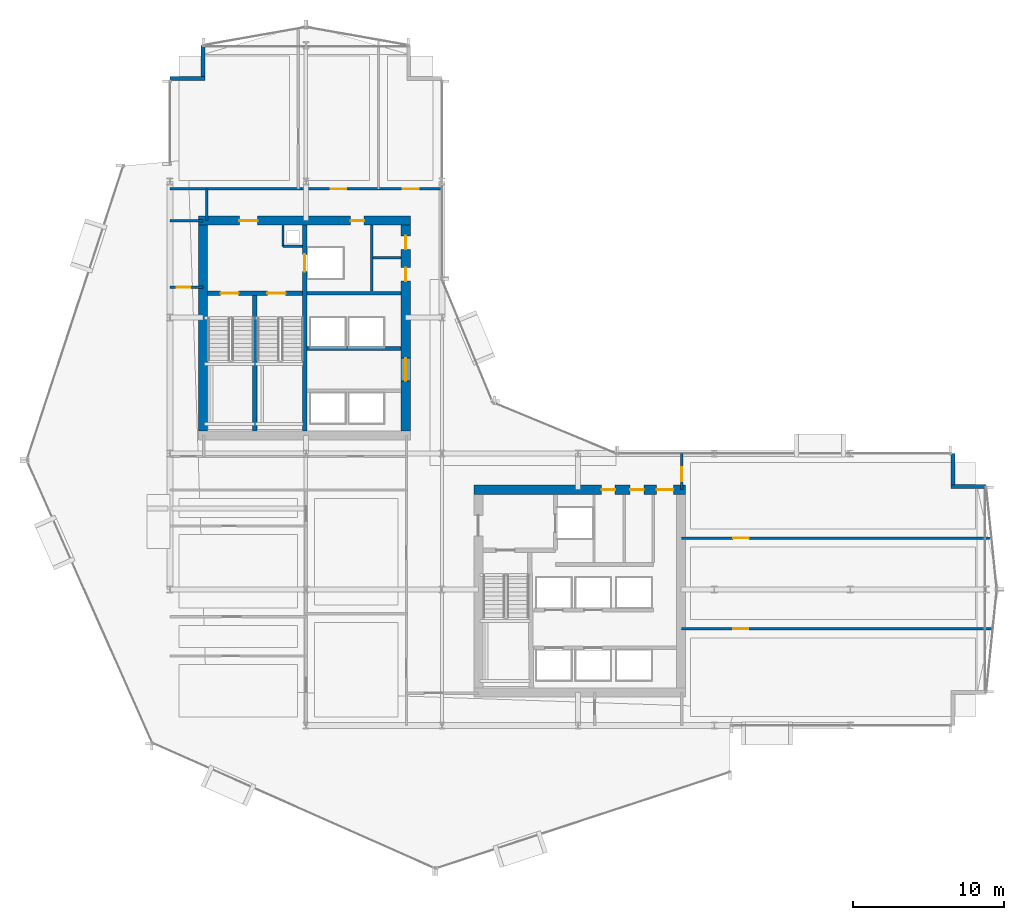
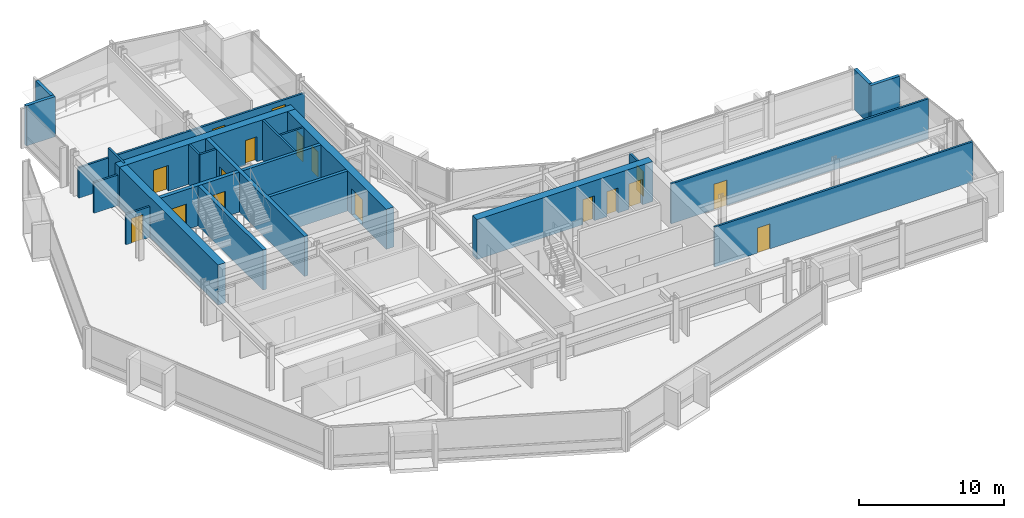
# One storey, part 28 of 34: 24 walls, 17 doors, 17 openings.
"""IFC4 building model written with IfcOpenShell, lengths in metres."""

from ifc_helpers import new_model, si_unit, direction, frame, frame_2d, origin, place, context, subcontext, project, spatial, rectangle, extrude, material, layer, layer_set, type_object, element, fill, save


model = new_model("IFC4")

# Units and contexts
model_context = context("Model", 3, precision=1e-05, world=origin(), true_north=direction((0.0, 1.0)))
body_context = subcontext(model_context, "Body", "Model", "MODEL_VIEW")
ifc_project = project(units=[si_unit("LENGTHUNIT", "METRE"), si_unit("AREAUNIT", "SQUARE_METRE"), si_unit("VOLUMEUNIT", "CUBIC_METRE"), si_unit("PLANEANGLEUNIT", "RADIAN"), si_unit("MASSUNIT", "GRAM", prefix="KILO")], contexts=[model_context])

# Site, building, storey
site_placement = place(None, origin())
site = spatial("IfcSite", under=ifc_project, at=site_placement, CompositionType="ELEMENT")
building_placement = place(site_placement, origin())
building = spatial("IfcBuilding", under=site, at=building_placement, Name="Solvaryn Broadcast Tower", CompositionType="ELEMENT")
storey_placement = place(building_placement, frame((0.0, 0.0, 96.5)))
storey = spatial("IfcBuildingStorey", under=building, at=storey_placement, Name="L23", CompositionType="ELEMENT", Elevation=96.5)

# Wall, openings, doors
ifc_material_1 = material(Name="Concrete f'c 70 MPa", Category="concrete")
ifc_layer_1 = layer(ifc_material_1, 0.60009765625)
ifc_layer_set_1 = layer_set([ifc_layer_1], Name="CW-SHEAR-600")
wall_type_1 = type_object("IfcWallType", Name="CW-SHEAR-600", PredefinedType="SHEAR", material=ifc_layer_set_1)
wall_1_placement = place(storey_placement, frame((24.89990234375, 42.39990234375, 0.0), z_axis=(0.0, 0.0, 1.0), x_axis=(-1.0, 0.0, 0.0)))
wall_1 = element("IfcWall", 1, at=wall_1_placement, inside=storey, type_object=wall_type_1, Name="L23 West Core North Shear Wall", PredefinedType="SHEAR", context=body_context, shape_type="SweptSolid", body=[
    extrude(rectangle(XDim=14.0, YDim=0.60009765625, at=frame_2d((7.0, 0.0))), origin(), (0.0, 0.0, 1.0), 3.3701171875),
])
opening_1_placement = place(wall_1_placement, frame((10.10009765625, 0.0, 0.0)))
opening_1 = element("IfcOpeningElement", 2, at=opening_1_placement, cuts=wall_1, Name="Opening FD90A", PredefinedType="OPENING", context=body_context, shape_type="SweptSolid", body=[
    extrude(rectangle(XDim=1.199951171875, YDim=2.14990234375, at=frame_2d((0.60009765625, 1.074951171875))), frame((0.0, 0.31005859375, 0.0), z_axis=(0.0, -1.0, 0.0), x_axis=(1.0, 0.0, 0.0)), (0.0, 0.0, 1.0), 0.6201171875),
])
opening_2_placement = place(wall_1_placement, frame((3.050048828125, 0.0, 0.0)))
opening_2 = element("IfcOpeningElement", 3, at=opening_2_placement, cuts=wall_1, Name="Opening FD60C", PredefinedType="OPENING", context=body_context, shape_type="SweptSolid", body=[
    extrude(rectangle(XDim=0.89990234375, YDim=2.10009765625, at=frame_2d((0.449951171875, 1.050048828125))), frame((0.0, 0.31005859375, 0.0), z_axis=(0.0, -1.0, 0.0), x_axis=(1.0, 0.0, 0.0)), (0.0, 0.0, 1.0), 0.6201171875),
])
ifc_material_2 = material(Name="Flush Acoustic Steel and Timber Door Assembly", Category="steel")
door_type_1 = type_object("IfcDoorType", Name="FD60-SERV-900X2100", OperationType="NOTDEFINED", PredefinedType="DOOR", material=ifc_material_2)
door_1_placement = place(opening_2_placement, origin())
door_1 = element("IfcDoor", 4, at=door_1_placement, inside=storey, type_object=door_type_1, Name="L23 West Core Fiber Riser Door", OperationType="SINGLE_SWING_RIGHT", OverallHeight=2.10009765625, OverallWidth=0.89990234375, PredefinedType="DOOR", context=body_context, shape_type="SweptSolid", body=[
    extrude(rectangle(XDim=0.89990234375, YDim=2.10009765625, at=frame_2d((0.449951171875, 1.050048828125))), frame((0.0, 0.02490234375, 0.0), z_axis=(0.0, -1.0, 0.0), x_axis=(1.0, 0.0, 0.0)), (0.0, 0.0, 1.0), 0.050048828125),
])
fill(opening_2, door_1)
ifc_material_3 = material(Name="Flush Acoustic Steel and Timber Door Assembly", Category="steel")
door_type_2 = type_object("IfcDoorType", Name="FD90-STAIR-1200X2150", OperationType="NOTDEFINED", PredefinedType="DOOR", material=ifc_material_3)
door_2_placement = place(opening_1_placement, origin())
door_2 = element("IfcDoor", 5, at=door_2_placement, inside=storey, type_object=door_type_2, Name="L23 West FSAE Lobby Corridor Door", OperationType="SINGLE_SWING_LEFT", OverallHeight=2.14990234375, OverallWidth=1.199951171875, PredefinedType="DOOR", context=body_context, shape_type="SweptSolid", body=[
    extrude(rectangle(XDim=1.199951171875, YDim=2.14990234375, at=frame_2d((0.60009765625, 1.074951171875))), frame((0.0, 0.02490234375, 0.0), z_axis=(0.0, -1.0, 0.0), x_axis=(1.0, 0.0, 0.0)), (0.0, 0.0, 1.0), 0.050048828125),
])
fill(opening_1, door_2)

# Wall
wall_2_placement = place(storey_placement, frame((11.199951171875, 42.10009765625, 0.0), z_axis=(0.0, 0.0, 1.0), x_axis=(0.0, -1.0, 0.0)))
element("IfcWall", 6, at=wall_2_placement, inside=storey, type_object=wall_type_1, Name="L23 West Core West Shear Wall", PredefinedType="SHEAR", context=body_context, shape_type="SweptSolid", body=[
    extrude(rectangle(XDim=13.60009765625, YDim=0.60009765625, at=frame_2d((6.800048828125, 0.0))), origin(), (0.0, 0.0, 1.0), 3.3701171875),
])

# Wall, openings, doors
wall_3_placement = place(storey_placement, frame((24.60009765625, 28.5, 0.0), z_axis=(0.0, 0.0, 1.0), x_axis=(0.0, 1.0, 0.0)))
wall_3 = element("IfcWall", 7, at=wall_3_placement, inside=storey, type_object=wall_type_1, Name="L23 West Core East Shear Wall", PredefinedType="SHEAR", context=body_context, shape_type="SweptSolid", body=[
    extrude(rectangle(XDim=13.60009765625, YDim=0.60009765625, at=frame_2d((6.800048828125, 0.0))), origin(), (0.0, 0.0, 1.0), 3.3701171875),
])
opening_3_placement = place(wall_3_placement, frame((3.300048828125, 0.0, 0.0)))
opening_3 = element("IfcOpeningElement", 8, at=opening_3_placement, cuts=wall_3, Name="Opening FD60A", PredefinedType="OPENING", context=body_context, shape_type="SweptSolid", body=[
    extrude(rectangle(XDim=1.5, YDim=2.199951171875, at=frame_2d((0.75, 1.10009765625))), frame((0.0, 0.31005859375, 0.0), z_axis=(0.0, -1.0, 0.0), x_axis=(1.0, 0.0, 0.0)), (0.0, 0.0, 1.0), 0.6201171875),
])
opening_4_placement = place(wall_3_placement, frame((9.89990234375, 0.0, 0.0)))
opening_4 = element("IfcOpeningElement", 9, at=opening_4_placement, cuts=wall_3, Name="Opening FD60C", PredefinedType="OPENING", context=body_context, shape_type="SweptSolid", body=[
    extrude(rectangle(XDim=0.89990234375, YDim=2.10009765625, at=frame_2d((0.449951171875, 1.050048828125))), frame((0.0, 0.31005859375, 0.0), z_axis=(0.0, -1.0, 0.0), x_axis=(1.0, 0.0, 0.0)), (0.0, 0.0, 1.0), 0.6201171875),
])
opening_5_placement = place(wall_3_placement, frame((12.0, 0.0, 0.0)))
opening_5 = element("IfcOpeningElement", 10, at=opening_5_placement, cuts=wall_3, Name="Opening FD60C", PredefinedType="OPENING", context=body_context, shape_type="SweptSolid", body=[
    extrude(rectangle(XDim=0.89990234375, YDim=2.10009765625, at=frame_2d((0.449951171875, 1.050048828125))), frame((0.0, 0.31005859375, 0.0), z_axis=(0.0, -1.0, 0.0), x_axis=(1.0, 0.0, 0.0)), (0.0, 0.0, 1.0), 0.6201171875),
])
ifc_material_4 = material(Name="Flush Acoustic Steel and Timber Door Assembly", Category="steel")
door_type_3 = type_object("IfcDoorType", Name="FD60-CORR-1500X2200", OperationType="NOTDEFINED", PredefinedType="DOOR", material=ifc_material_4)
door_3_placement = place(opening_3_placement, origin())
door_3 = element("IfcDoor", 11, at=door_3_placement, inside=storey, type_object=door_type_3, Name="L23 West Elevator Lobby Corridor Door", OperationType="DOUBLE_DOOR_SINGLE_SWING", OverallHeight=2.199951171875, OverallWidth=1.5, PredefinedType="DOOR", context=body_context, shape_type="SweptSolid", body=[
    extrude(rectangle(XDim=1.5, YDim=2.199951171875, at=frame_2d((0.75, 1.10009765625))), frame((0.0, 0.02490234375, 0.0), z_axis=(0.0, -1.0, 0.0), x_axis=(1.0, 0.0, 0.0)), (0.0, 0.0, 1.0), 0.050048828125),
])
fill(opening_3, door_3)
door_4_placement = place(opening_4_placement, origin())
door_4 = element("IfcDoor", 12, at=door_4_placement, inside=storey, type_object=door_type_1, Name="L23 West Core Service Door 1", OperationType="SINGLE_SWING_LEFT", OverallHeight=2.10009765625, OverallWidth=0.89990234375, PredefinedType="DOOR", context=body_context, shape_type="SweptSolid", body=[
    extrude(rectangle(XDim=0.89990234375, YDim=2.10009765625, at=frame_2d((0.449951171875, 1.050048828125))), frame((0.0, 0.02490234375, 0.0), z_axis=(0.0, -1.0, 0.0), x_axis=(1.0, 0.0, 0.0)), (0.0, 0.0, 1.0), 0.050048828125),
])
fill(opening_4, door_4)
door_5_placement = place(opening_5_placement, origin())
door_5 = element("IfcDoor", 13, at=door_5_placement, inside=storey, type_object=door_type_1, Name="L23 West Core Janitor Door", OperationType="SINGLE_SWING_RIGHT", OverallHeight=2.10009765625, OverallWidth=0.89990234375, PredefinedType="DOOR", context=body_context, shape_type="SweptSolid", body=[
    extrude(rectangle(XDim=0.89990234375, YDim=2.10009765625, at=frame_2d((0.449951171875, 1.050048828125))), frame((0.0, 0.02490234375, 0.0), z_axis=(0.0, -1.0, 0.0), x_axis=(1.0, 0.0, 0.0)), (0.0, 0.0, 1.0), 0.050048828125),
])
fill(opening_5, door_5)

wall_4_placement = place(storey_placement, frame((43.10009765625, 24.60009765625, 0.0), z_axis=(0.0, 0.0, 1.0), x_axis=(-1.0, 0.0, 0.0)))
wall_4 = element("IfcWall", 14, at=wall_4_placement, inside=storey, type_object=wall_type_1, Name="L23 East Core North Shear Wall", PredefinedType="SHEAR", context=body_context, shape_type="SweptSolid", body=[
    extrude(rectangle(XDim=14.0, YDim=0.60009765625, at=frame_2d((7.0, 0.0))), origin(), (0.0, 0.0, 1.0), 3.3701171875),
])
opening_6_placement = place(wall_4_placement, frame((0.800048828125, 0.0, 0.0)))
opening_6 = element("IfcOpeningElement", 15, at=opening_6_placement, cuts=wall_4, Name="Opening FD90C", PredefinedType="OPENING", context=body_context, shape_type="SweptSolid", body=[
    extrude(rectangle(XDim=1.10009765625, YDim=2.14990234375, at=frame_2d((0.550048828125, 1.074951171875))), frame((0.0, 0.31005859375, 0.0), z_axis=(0.0, -1.0, 0.0), x_axis=(1.0, 0.0, 0.0)), (0.0, 0.0, 1.0), 0.6201171875),
])
opening_7_placement = place(wall_4_placement, frame((2.75, 0.0, 0.0)))
opening_7 = element("IfcOpeningElement", 16, at=opening_7_placement, cuts=wall_4, Name="Opening FD60C", PredefinedType="OPENING", context=body_context, shape_type="SweptSolid", body=[
    extrude(rectangle(XDim=0.89990234375, YDim=2.10009765625, at=frame_2d((0.449951171875, 1.050048828125))), frame((0.0, 0.31005859375, 0.0), z_axis=(0.0, -1.0, 0.0), x_axis=(1.0, 0.0, 0.0)), (0.0, 0.0, 1.0), 0.6201171875),
])
opening_8_placement = place(wall_4_placement, frame((4.64990234375, 0.0, 0.0)))
opening_8 = element("IfcOpeningElement", 17, at=opening_8_placement, cuts=wall_4, Name="Opening FD60C", PredefinedType="OPENING", context=body_context, shape_type="SweptSolid", body=[
    extrude(rectangle(XDim=0.89990234375, YDim=2.10009765625, at=frame_2d((0.449951171875, 1.050048828125))), frame((0.0, 0.31005859375, 0.0), z_axis=(0.0, -1.0, 0.0), x_axis=(1.0, 0.0, 0.0)), (0.0, 0.0, 1.0), 0.6201171875),
])
door_6_placement = place(opening_7_placement, origin())
door_6 = element("IfcDoor", 18, at=door_6_placement, inside=storey, type_object=door_type_1, Name="L23 Staff Restroom Door", OperationType="SINGLE_SWING_LEFT", OverallHeight=2.10009765625, OverallWidth=0.89990234375, PredefinedType="DOOR", context=body_context, shape_type="SweptSolid", body=[
    extrude(rectangle(XDim=0.89990234375, YDim=2.10009765625, at=frame_2d((0.449951171875, 1.050048828125))), frame((0.0, 0.02490234375, 0.0), z_axis=(0.0, -1.0, 0.0), x_axis=(1.0, 0.0, 0.0)), (0.0, 0.0, 1.0), 0.050048828125),
])
fill(opening_7, door_6)
door_7_placement = place(opening_8_placement, origin())
door_7 = element("IfcDoor", 19, at=door_7_placement, inside=storey, type_object=door_type_1, Name="L23 Accessible WC Door", OperationType="SINGLE_SWING_RIGHT", OverallHeight=2.10009765625, OverallWidth=0.89990234375, PredefinedType="DOOR", context=body_context, shape_type="SweptSolid", body=[
    extrude(rectangle(XDim=0.89990234375, YDim=2.10009765625, at=frame_2d((0.449951171875, 1.050048828125))), frame((0.0, 0.02490234375, 0.0), z_axis=(0.0, -1.0, 0.0), x_axis=(1.0, 0.0, 0.0)), (0.0, 0.0, 1.0), 0.050048828125),
])
fill(opening_8, door_7)
ifc_material_5 = material(Name="Flush Acoustic Steel and Timber Door Assembly", Category="steel")
door_type_4 = type_object("IfcDoorType", Name="FD90-PLANT-1100X2150", OperationType="NOTDEFINED", PredefinedType="DOOR", material=ifc_material_5)
door_8_placement = place(opening_6_placement, origin())
door_8 = element("IfcDoor", 20, at=door_8_placement, inside=storey, type_object=door_type_4, Name="L23 East Core Lobby Corridor Door", OperationType="SINGLE_SWING_LEFT", OverallHeight=2.14990234375, OverallWidth=1.10009765625, PredefinedType="DOOR", context=body_context, shape_type="SweptSolid", body=[
    extrude(rectangle(XDim=1.10009765625, YDim=2.14990234375, at=frame_2d((0.550048828125, 1.074951171875))), frame((0.0, 0.02490234375, 0.0), z_axis=(0.0, -1.0, 0.0), x_axis=(1.0, 0.0, 0.0)), (0.0, 0.0, 1.0), 0.050048828125),
])
fill(opening_6, door_8)

# Walls
ifc_material_6 = material(Name="Concrete f'c 50 MPa", Category="concrete")
ifc_layer_2 = layer(ifc_material_6, 0.260009765625)
ifc_layer_set_2 = layer_set([ifc_layer_2], Name="EW-PIER-260")
wall_type_2 = type_object("IfcWallType", Name="EW-PIER-260", PredefinedType="SOLIDWALL", material=ifc_layer_set_2)
wall_5_placement = place(storey_placement, frame((9.0, 51.800048828125, 0.0), z_axis=(0.0, 0.0, 1.0), x_axis=(1.0, 0.0, 0.0)))
element("IfcWall", 21, at=wall_5_placement, inside=storey, type_object=wall_type_2, Name="L23 Notched Corner Pier Wall NNW1", PredefinedType="SOLIDWALL", context=body_context, shape_type="SweptSolid", body=[
    extrude(rectangle(XDim=2.320068359375, YDim=0.260009765625, at=frame_2d((1.16015625, 0.0))), origin(), (0.0, 0.0, 1.0), 3.3701171875),
])
wall_6_placement = place(storey_placement, frame((11.199951171875, 51.919921875, 0.0), z_axis=(0.0, 0.0, 1.0), x_axis=(0.0, 1.0, 0.0)))
element("IfcWall", 22, at=wall_6_placement, inside=storey, type_object=wall_type_2, Name="L23 Notched Corner Pier Wall NNW2", PredefinedType="SOLIDWALL", context=body_context, shape_type="SweptSolid", body=[
    extrude(rectangle(XDim=2.080078125, YDim=0.260009765625, at=frame_2d((1.0400390625, 0.0))), origin(), (0.0, 0.0, 1.0), 3.3701171875),
])
wall_7_placement = place(storey_placement, frame((63.0, 24.800048828125, 0.0), z_axis=(0.0, 0.0, 1.0), x_axis=(-1.0, 0.0, 0.0)))
element("IfcWall", 23, at=wall_7_placement, inside=storey, type_object=wall_type_2, Name="L23 Notched Corner Pier Wall NEE1", PredefinedType="SOLIDWALL", context=body_context, shape_type="SweptSolid", body=[
    extrude(rectangle(XDim=2.320068359375, YDim=0.260009765625, at=frame_2d((1.16015625, 0.0))), origin(), (0.0, 0.0, 1.0), 3.3701171875),
])
wall_8_placement = place(storey_placement, frame((60.800048828125, 24.919921875, 0.0), z_axis=(0.0, 0.0, 1.0), x_axis=(0.0, 1.0, 0.0)))
element("IfcWall", 24, at=wall_8_placement, inside=storey, type_object=wall_type_2, Name="L23 Notched Corner Pier Wall NEE2", PredefinedType="SOLIDWALL", context=body_context, shape_type="SweptSolid", body=[
    extrude(rectangle(XDim=2.080078125, YDim=0.260009765625, at=frame_2d((1.0400390625, 0.0))), origin(), (0.0, 0.0, 1.0), 3.3701171875),
])
ifc_material_7 = material(Name="Metal-Stud Service Core Partition")
ifc_layer_3 = layer(ifc_material_7, 0.14990234375)
ifc_layer_set_3 = layer_set([ifc_layer_3], Name="IW-PART-150")
wall_type_3 = type_object("IfcWallType", Name="IW-PART-150", PredefinedType="PARTITIONING", material=ifc_layer_set_3)
wall_9_placement = place(storey_placement, frame((16.47998046875, 40.699951171875, 0.0), z_axis=(0.0, 0.0, 1.0), x_axis=(1.0, 0.0, 0.0)))
element("IfcWall", 25, at=wall_9_placement, inside=storey, type_object=wall_type_3, Name="L23 West Core Riser Shaft South Wall", PredefinedType="PARTITIONING", context=body_context, shape_type="SweptSolid", body=[
    extrude(rectangle(XDim=1.2900390625, YDim=0.14990234375, at=frame_2d((0.64501953125, 0.0))), origin(), (0.0, 0.0, 1.0), 3.3701171875),
])
wall_10_placement = place(storey_placement, frame((16.47998046875, 40.699951171875, 0.0), z_axis=(0.0, 0.0, 1.0), x_axis=(0.0, 1.0, 0.0)))
element("IfcWall", 26, at=wall_10_placement, inside=storey, type_object=wall_type_3, Name="L23 West Core Riser Shaft West Wall", PredefinedType="PARTITIONING", context=body_context, shape_type="SweptSolid", body=[
    extrude(rectangle(XDim=1.400146484375, YDim=0.14990234375, at=frame_2d((0.7001953125, 0.0))), origin(), (0.0, 0.0, 1.0), 3.3701171875),
])
wall_11_placement = place(storey_placement, frame((22.35009765625, 37.72998046875, 0.0), z_axis=(0.0, 0.0, 1.0), x_axis=(0.0, 1.0, 0.0)))
element("IfcWall", 27, at=wall_11_placement, inside=storey, type_object=wall_type_3, Name="L23 Interior Partition IW-L23-CWS-V", PredefinedType="PARTITIONING", context=body_context, shape_type="SweptSolid", body=[
    extrude(rectangle(XDim=4.3701171875, YDim=0.14990234375, at=frame_2d((2.18505859375, 0.0))), origin(), (0.0, 0.0, 1.0), 3.3701171875),
])
wall_12_placement = place(storey_placement, frame((22.429931640625, 39.949951171875, 0.0), z_axis=(0.0, 0.0, 1.0), x_axis=(1.0, 0.0, 0.0)))
element("IfcWall", 28, at=wall_12_placement, inside=storey, type_object=wall_type_3, Name="L23 Interior Partition IW-L23-CWS-H", PredefinedType="PARTITIONING", context=body_context, shape_type="SweptSolid", body=[
    extrude(rectangle(XDim=1.8701171875, YDim=0.14990234375, at=frame_2d((0.93505859375, 0.0))), origin(), (0.0, 0.0, 1.0), 3.3701171875),
])

# Wall, opening, door
wall_13_placement = place(storey_placement, frame((9.0, 38.0, 0.0), z_axis=(0.0, 0.0, 1.0), x_axis=(1.0, 0.0, 0.0)))
wall_13 = element("IfcWall", 29, at=wall_13_placement, inside=storey, type_object=wall_type_3, Name="L23 Interior Partition IW-L23-WM-M", PredefinedType="PARTITIONING", context=body_context, shape_type="SweptSolid", body=[
    extrude(rectangle(XDim=2.199951171875, YDim=0.14990234375, at=frame_2d((1.10009765625, 0.0))), origin(), (0.0, 0.0, 1.0), 2.576904296875),
])
opening_9_placement = place(wall_13_placement, frame((0.449951171875, 0.0, 0.0)))
opening_9 = element("IfcOpeningElement", 30, at=opening_9_placement, cuts=wall_13, Name="Opening FD60C", PredefinedType="OPENING", context=body_context, shape_type="SweptSolid", body=[
    extrude(rectangle(XDim=0.89990234375, YDim=2.10009765625, at=frame_2d((0.449951171875, 1.050048828125))), frame((0.0, 0.0849609375, 0.0), z_axis=(0.0, -1.0, 0.0), x_axis=(1.0, 0.0, 0.0)), (0.0, 0.0, 1.0), 0.169921875),
])
door_9_placement = place(opening_9_placement, origin())
door_9 = element("IfcDoor", 31, at=door_9_placement, inside=storey, type_object=door_type_1, Name="L23 Door DR-L23-WM1", OperationType="SINGLE_SWING_LEFT", OverallHeight=2.10009765625, OverallWidth=0.89990234375, PredefinedType="DOOR", context=body_context, shape_type="SweptSolid", body=[
    extrude(rectangle(XDim=0.89990234375, YDim=2.10009765625, at=frame_2d((0.449951171875, 1.050048828125))), frame((0.0, 0.02490234375, 0.0), z_axis=(0.0, -1.0, 0.0), x_axis=(1.0, 0.0, 0.0)), (0.0, 0.0, 1.0), 0.050048828125),
])
fill(opening_9, door_9)

# Walls
ifc_material_8 = material(Name="Metal-Stud Gypsum Office Partition")
ifc_layer_4 = layer(ifc_material_8, 0.159912109375)
ifc_layer_set_4 = layer_set([ifc_layer_4], Name="IW-PART-160")
wall_type_4 = type_object("IfcWallType", Name="IW-PART-160", PredefinedType="PARTITIONING", material=ifc_layer_set_4)
wall_14_placement = place(storey_placement, frame((9.0, 42.39990234375, 0.0), z_axis=(0.0, 0.0, 1.0), x_axis=(1.0, 0.0, 0.0)))
element("IfcWall", 32, at=wall_14_placement, inside=storey, type_object=wall_type_4, Name="L23 Interior Partition IW-L23-WM-N", PredefinedType="PARTITIONING", context=body_context, shape_type="SweptSolid", body=[
    extrude(rectangle(XDim=2.199951171875, YDim=0.159912109375, at=frame_2d((1.10009765625, 0.0))), origin(), (0.0, 0.0, 1.0), 2.576904296875),
])
wall_15_placement = place(storey_placement, frame((11.449951171875, 42.39990234375, 0.0), z_axis=(0.0, 0.0, 1.0), x_axis=(0.0, 1.0, 0.0)))
element("IfcWall", 33, at=wall_15_placement, inside=storey, type_object=wall_type_4, Name="L23 Interior Partition IW-L23-WM-E", PredefinedType="PARTITIONING", context=body_context, shape_type="SweptSolid", body=[
    extrude(rectangle(XDim=2.10009765625, YDim=0.159912109375, at=frame_2d((1.050048828125, 0.0))), origin(), (0.0, 0.0, 1.0), 3.3701171875),
])

# Wall, openings, doors
wall_16_placement = place(storey_placement, frame((9.0, 44.5, 0.0), z_axis=(0.0, 0.0, 1.0), x_axis=(1.0, 0.0, 0.0)))
wall_16 = element("IfcWall", 34, at=wall_16_placement, inside=storey, type_object=wall_type_4, Name="L23 Interior Partition IW-L23-NW-SB", PredefinedType="PARTITIONING", context=body_context, shape_type="SweptSolid", body=[
    extrude(rectangle(XDim=18.0, YDim=0.159912109375, at=frame_2d((9.0, 0.0))), origin(), (0.0, 0.0, 1.0), 2.576904296875),
])
opening_10_placement = place(wall_16_placement, frame((10.64990234375, 0.0, 0.0)))
opening_10 = element("IfcOpeningElement", 35, at=opening_10_placement, cuts=wall_16, Name="Opening ID02", PredefinedType="OPENING", context=body_context, shape_type="SweptSolid", body=[
    extrude(rectangle(XDim=1.0, YDim=2.10009765625, at=frame_2d((0.5, 1.050048828125))), frame((0.0, 0.090087890625, 0.0), z_axis=(0.0, -1.0, 0.0), x_axis=(1.0, 0.0, 0.0)), (0.0, 0.0, 1.0), 0.179931640625),
])
opening_11_placement = place(wall_16_placement, frame((15.39990234375, 0.0, 0.0)))
opening_11 = element("IfcOpeningElement", 36, at=opening_11_placement, cuts=wall_16, Name="Opening ID03", PredefinedType="OPENING", context=body_context, shape_type="SweptSolid", body=[
    extrude(rectangle(XDim=1.050048828125, YDim=2.14990234375, at=frame_2d((0.52490234375, 1.074951171875))), frame((0.0, 0.090087890625, 0.0), z_axis=(0.0, -1.0, 0.0), x_axis=(1.0, 0.0, 0.0)), (0.0, 0.0, 1.0), 0.179931640625),
])
ifc_material_9 = material(Name="Flush Acoustic Steel and Timber Door Assembly", Category="steel")
door_type_5 = type_object("IfcDoorType", Name="ID-02-1000X2100", OperationType="NOTDEFINED", PredefinedType="DOOR", material=ifc_material_9)
door_10_placement = place(opening_10_placement, origin())
door_10 = element("IfcDoor", 37, at=door_10_placement, inside=storey, type_object=door_type_5, Name="L23 Door DR-L23-NW-2", OperationType="SINGLE_SWING_LEFT", OverallHeight=2.10009765625, OverallWidth=1.0, PredefinedType="DOOR", context=body_context, shape_type="SweptSolid", body=[
    extrude(rectangle(XDim=1.0, YDim=2.10009765625, at=frame_2d((0.5, 1.050048828125))), frame((0.0, 0.02490234375, 0.0), z_axis=(0.0, -1.0, 0.0), x_axis=(1.0, 0.0, 0.0)), (0.0, 0.0, 1.0), 0.050048828125),
])
fill(opening_10, door_10)
ifc_material_10 = material(Name="Flush Acoustic Steel and Timber Door Assembly", Category="steel")
door_type_6 = type_object("IfcDoorType", Name="ID-03-1050X2150", OperationType="NOTDEFINED", PredefinedType="DOOR", material=ifc_material_10)
door_11_placement = place(opening_11_placement, origin())
door_11 = element("IfcDoor", 38, at=door_11_placement, inside=storey, type_object=door_type_6, Name="L23 Door DR-L23-NW-3", OperationType="SINGLE_SWING_RIGHT", OverallHeight=2.14990234375, OverallWidth=1.050048828125, PredefinedType="DOOR", context=body_context, shape_type="SweptSolid", body=[
    extrude(rectangle(XDim=1.050048828125, YDim=2.14990234375, at=frame_2d((0.52490234375, 1.074951171875))), frame((0.0, 0.02490234375, 0.0), z_axis=(0.0, -1.0, 0.0), x_axis=(1.0, 0.0, 0.0)), (0.0, 0.0, 1.0), 0.050048828125),
])
fill(opening_11, door_11)

# Wall, opening, door
wall_17_placement = place(storey_placement, frame((42.85009765625, 24.60009765625, 0.0), z_axis=(0.0, 0.0, 1.0), x_axis=(0.0, 1.0, 0.0)))
wall_17 = element("IfcWall", 39, at=wall_17_placement, inside=storey, type_object=wall_type_4, Name="L23 Interior Partition IW-L23-EW-BN", PredefinedType="PARTITIONING", context=body_context, shape_type="SweptSolid", body=[
    extrude(rectangle(XDim=2.39990234375, YDim=0.159912109375, at=frame_2d((1.199951171875, 0.0))), origin(), (0.0, 0.0, 1.0), 2.576904296875),
])
opening_12_placement = place(wall_17_placement, frame((0.550048828125, 0.0, 0.0)))
opening_12 = element("IfcOpeningElement", 40, at=opening_12_placement, cuts=wall_17, Name="Opening ID01", PredefinedType="OPENING", context=body_context, shape_type="SweptSolid", body=[
    extrude(rectangle(XDim=0.949951171875, YDim=2.10009765625, at=frame_2d((0.47509765625, 1.050048828125))), frame((0.0, 0.090087890625, 0.0), z_axis=(0.0, -1.0, 0.0), x_axis=(1.0, 0.0, 0.0)), (0.0, 0.0, 1.0), 0.179931640625),
])
ifc_material_11 = material(Name="Flush Acoustic Steel and Timber Door Assembly", Category="steel")
door_type_7 = type_object("IfcDoorType", Name="ID-01-950X2100", OperationType="NOTDEFINED", PredefinedType="DOOR", material=ifc_material_11)
door_12_placement = place(opening_12_placement, origin())
door_12 = element("IfcDoor", 41, at=door_12_placement, inside=storey, type_object=door_type_7, Name="L23 Door DR-L23-EW0", OperationType="SINGLE_SWING_LEFT", OverallHeight=2.10009765625, OverallWidth=0.949951171875, PredefinedType="DOOR", context=body_context, shape_type="SweptSolid", body=[
    extrude(rectangle(XDim=0.949951171875, YDim=2.10009765625, at=frame_2d((0.47509765625, 1.050048828125))), frame((0.0, 0.02490234375, 0.0), z_axis=(0.0, -1.0, 0.0), x_axis=(1.0, 0.0, 0.0)), (0.0, 0.0, 1.0), 0.050048828125),
])
fill(opening_12, door_12)

wall_18_placement = place(storey_placement, frame((42.85009765625, 15.39990234375, 0.0), z_axis=(0.0, 0.0, 1.0), x_axis=(1.0, 0.0, 0.0)))
wall_18 = element("IfcWall", 42, at=wall_18_placement, inside=storey, type_object=wall_type_4, Name="L23 Interior Partition IW-L23-EW-H1", PredefinedType="PARTITIONING", context=body_context, shape_type="SweptSolid", body=[
    extrude(rectangle(XDim=20.581787109375, YDim=0.159912109375, at=frame_2d((10.291015625, 0.0))), origin(), (0.0, 0.0, 1.0), 3.3701171875),
])
opening_13_placement = place(wall_18_placement, frame((3.39990234375, 0.0, 0.0)))
opening_13 = element("IfcOpeningElement", 43, at=opening_13_placement, cuts=wall_18, Name="Opening ID02", PredefinedType="OPENING", context=body_context, shape_type="SweptSolid", body=[
    extrude(rectangle(XDim=1.0, YDim=2.10009765625, at=frame_2d((0.5, 1.050048828125))), frame((0.0, 0.090087890625, 0.0), z_axis=(0.0, -1.0, 0.0), x_axis=(1.0, 0.0, 0.0)), (0.0, 0.0, 1.0), 0.179931640625),
])
door_13_placement = place(opening_13_placement, origin())
door_13 = element("IfcDoor", 44, at=door_13_placement, inside=storey, type_object=door_type_5, Name="L23 Door DR-L23-EW-1", OperationType="SINGLE_SWING_RIGHT", OverallHeight=2.10009765625, OverallWidth=1.0, PredefinedType="DOOR", context=body_context, shape_type="SweptSolid", body=[
    extrude(rectangle(XDim=1.0, YDim=2.10009765625, at=frame_2d((0.5, 1.050048828125))), frame((0.0, 0.02490234375, 0.0), z_axis=(0.0, -1.0, 0.0), x_axis=(1.0, 0.0, 0.0)), (0.0, 0.0, 1.0), 0.050048828125),
])
fill(opening_13, door_13)

wall_19_placement = place(storey_placement, frame((42.85009765625, 21.39990234375, 0.0), z_axis=(0.0, 0.0, 1.0), x_axis=(1.0, 0.0, 0.0)))
wall_19 = element("IfcWall", 45, at=wall_19_placement, inside=storey, type_object=wall_type_4, Name="L23 Interior Partition IW-L23-EW-H2", PredefinedType="PARTITIONING", context=body_context, shape_type="SweptSolid", body=[
    extrude(rectangle(XDim=20.5, YDim=0.159912109375, at=frame_2d((10.25, 0.0))), origin(), (0.0, 0.0, 1.0), 3.3701171875),
])
opening_14_placement = place(wall_19_placement, frame((3.39990234375, 0.0, 0.0)))
opening_14 = element("IfcOpeningElement", 46, at=opening_14_placement, cuts=wall_19, Name="Opening ID03", PredefinedType="OPENING", context=body_context, shape_type="SweptSolid", body=[
    extrude(rectangle(XDim=1.050048828125, YDim=2.14990234375, at=frame_2d((0.52490234375, 1.074951171875))), frame((0.0, 0.090087890625, 0.0), z_axis=(0.0, -1.0, 0.0), x_axis=(1.0, 0.0, 0.0)), (0.0, 0.0, 1.0), 0.179931640625),
])
door_14_placement = place(opening_14_placement, origin())
door_14 = element("IfcDoor", 47, at=door_14_placement, inside=storey, type_object=door_type_6, Name="L23 Door DR-L23-EW-2", OperationType="SINGLE_SWING_LEFT", OverallHeight=2.14990234375, OverallWidth=1.050048828125, PredefinedType="DOOR", context=body_context, shape_type="SweptSolid", body=[
    extrude(rectangle(XDim=1.050048828125, YDim=2.14990234375, at=frame_2d((0.52490234375, 1.074951171875))), frame((0.0, 0.02490234375, 0.0), z_axis=(0.0, -1.0, 0.0), x_axis=(1.0, 0.0, 0.0)), (0.0, 0.0, 1.0), 0.050048828125),
])
fill(opening_14, door_14)

# Walls
ifc_material_12 = material(Name="Concrete f'c 60 MPa", Category="concrete")
ifc_layer_5 = layer(ifc_material_12, 0.25)
ifc_layer_set_5 = layer_set([ifc_layer_5], Name="SW-SHAFT-250")
wall_type_5 = type_object("IfcWallType", Name="SW-SHAFT-250", PredefinedType="PARTITIONING", material=ifc_layer_set_5)
for number, where, z_axis, x_axis, name in (
    (48, (18.070068359375, 37.60009765625, 0.0), (0.0, 0.0, 1.0), (1.0, 0.0, 0.0), "L23 West Core FSAE Hoistway Front Wall"),
    (49, (24.300048828125, 33.949951171875, 0.0), (0.0, 0.0, 1.0), (-1.0, 0.0, 0.0), "L23 High-Rise Lift Bank North Wall"),
):
    element("IfcWall", number, at=place(storey_placement, frame(where, z_axis=z_axis, x_axis=x_axis)), inside=storey, type_object=wall_type_5, Name=name, PredefinedType="PARTITIONING", context=body_context, shape_type="SweptSolid", body=[
        extrude(rectangle(XDim=6.22998046875, YDim=0.25, at=frame_2d((3.114990234375, 0.0))), origin(), (0.0, 0.0, 1.0), 3.3701171875),
    ])
ifc_material_13 = material(Name="Concrete f'c 70 MPa", Category="concrete")
ifc_layer_6 = layer(ifc_material_13, 0.300048828125)
ifc_layer_set_6 = layer_set([ifc_layer_6], Name="SW-SHAFT-300")
wall_type_6 = type_object("IfcWallType", Name="SW-SHAFT-300", PredefinedType="SHEAR", material=ifc_layer_set_6)
wall_20_placement = place(storey_placement, frame((14.6201171875, 28.5, 0.0), z_axis=(0.0, 0.0, 1.0), x_axis=(0.0, 1.0, 0.0)))
element("IfcWall", 50, at=wall_20_placement, inside=storey, type_object=wall_type_6, Name="L23 Stair 1-2 Dividing Wall", PredefinedType="SHEAR", context=body_context, shape_type="SweptSolid", body=[
    extrude(rectangle(XDim=8.949951171875, YDim=0.300048828125, at=frame_2d((4.47509765625, 0.0))), origin(), (0.0, 0.0, 1.0), 3.3701171875),
])

# Wall, opening, door
wall_21_placement = place(storey_placement, frame((17.919921875, 42.10009765625, 0.0), z_axis=(0.0, 0.0, 1.0), x_axis=(0.0, -1.0, 0.0)))
wall_21 = element("IfcWall", 51, at=wall_21_placement, inside=storey, type_object=wall_type_6, Name="L23 West Core Stair-Lobby Shear Wall", PredefinedType="SHEAR", context=body_context, shape_type="SweptSolid", body=[
    extrude(rectangle(XDim=13.60009765625, YDim=0.300048828125, at=frame_2d((6.800048828125, 0.0))), origin(), (0.0, 0.0, 1.0), 3.3701171875),
])
opening_15_placement = place(wall_21_placement, frame((1.925048828125, 0.0, 0.0)))
opening_15 = element("IfcOpeningElement", 52, at=opening_15_placement, cuts=wall_21, Name="Opening LD01", PredefinedType="OPENING", context=body_context, shape_type="SweptSolid", body=[
    extrude(rectangle(XDim=1.14990234375, YDim=2.14990234375, at=frame_2d((0.574951171875, 1.074951171875))), frame((0.0, 0.159912109375, 0.0), z_axis=(0.0, -1.0, 0.0), x_axis=(1.0, 0.0, 0.0)), (0.0, 0.0, 1.0), 0.320068359375),
])
ifc_material_14 = material(Name="Flush Acoustic Steel and Timber Door Assembly", Category="steel")
door_type_8 = type_object("IfcDoorType", Name="LD-LIFT-1150X2150", OperationType="NOTDEFINED", PredefinedType="DOOR", material=ifc_material_14)
door_15_placement = place(opening_15_placement, origin())
door_15 = element("IfcDoor", 53, at=door_15_placement, inside=storey, type_object=door_type_8, Name="L23 FL1 Lift Landing Door", OperationType="DOUBLE_DOOR_SLIDING", OverallHeight=2.14990234375, OverallWidth=1.14990234375, PredefinedType="DOOR", context=body_context, shape_type="SweptSolid", body=[
    extrude(rectangle(XDim=1.14990234375, YDim=2.14990234375, at=frame_2d((0.574951171875, 1.074951171875))), frame((0.0, 0.02490234375, 0.0), z_axis=(0.0, -1.0, 0.0), x_axis=(1.0, 0.0, 0.0)), (0.0, 0.0, 1.0), 0.050048828125),
])
fill(opening_15, door_15)

# Wall, openings, doors
wall_22_placement = place(storey_placement, frame((17.77001953125, 37.60009765625, 0.0), z_axis=(0.0, 0.0, 1.0), x_axis=(-1.0, 0.0, 0.0)))
wall_22 = element("IfcWall", 54, at=wall_22_placement, inside=storey, type_object=wall_type_6, Name="L23 West Core FSAE Lobby South Wall", PredefinedType="SHEAR", context=body_context, shape_type="SweptSolid", body=[
    extrude(rectangle(XDim=6.27001953125, YDim=0.300048828125, at=frame_2d((3.135009765625, 0.0))), origin(), (0.0, 0.0, 1.0), 3.3701171875),
])
opening_16_placement = place(wall_22_placement, frame((4.219970703125, 0.0, 0.0)))
opening_16 = element("IfcOpeningElement", 55, at=opening_16_placement, cuts=wall_22, Name="Opening FD90A", PredefinedType="OPENING", context=body_context, shape_type="SweptSolid", body=[
    extrude(rectangle(XDim=1.199951171875, YDim=2.14990234375, at=frame_2d((0.60009765625, 1.074951171875))), frame((0.0, 0.159912109375, 0.0), z_axis=(0.0, -1.0, 0.0), x_axis=(1.0, 0.0, 0.0)), (0.0, 0.0, 1.0), 0.320068359375),
])
opening_17_placement = place(wall_22_placement, frame((1.1201171875, 0.0, 0.0)))
opening_17 = element("IfcOpeningElement", 56, at=opening_17_placement, cuts=wall_22, Name="Opening FD90A", PredefinedType="OPENING", context=body_context, shape_type="SweptSolid", body=[
    extrude(rectangle(XDim=1.199951171875, YDim=2.14990234375, at=frame_2d((0.60009765625, 1.074951171875))), frame((0.0, 0.159912109375, 0.0), z_axis=(0.0, -1.0, 0.0), x_axis=(1.0, 0.0, 0.0)), (0.0, 0.0, 1.0), 0.320068359375),
])
door_16_placement = place(opening_16_placement, origin())
door_16 = element("IfcDoor", 57, at=door_16_placement, inside=storey, type_object=door_type_2, Name="L23 Stair 1 Fire Door", OperationType="SINGLE_SWING_LEFT", OverallHeight=2.14990234375, OverallWidth=1.199951171875, PredefinedType="DOOR", context=body_context, shape_type="SweptSolid", body=[
    extrude(rectangle(XDim=1.199951171875, YDim=2.14990234375, at=frame_2d((0.60009765625, 1.074951171875))), frame((0.0, 0.02490234375, 0.0), z_axis=(0.0, -1.0, 0.0), x_axis=(1.0, 0.0, 0.0)), (0.0, 0.0, 1.0), 0.050048828125),
])
fill(opening_16, door_16)
door_17_placement = place(opening_17_placement, origin())
door_17 = element("IfcDoor", 58, at=door_17_placement, inside=storey, type_object=door_type_2, Name="L23 Stair 2 Fire Door", OperationType="SINGLE_SWING_RIGHT", OverallHeight=2.14990234375, OverallWidth=1.199951171875, PredefinedType="DOOR", context=body_context, shape_type="SweptSolid", body=[
    extrude(rectangle(XDim=1.199951171875, YDim=2.14990234375, at=frame_2d((0.60009765625, 1.074951171875))), frame((0.0, 0.02490234375, 0.0), z_axis=(0.0, -1.0, 0.0), x_axis=(1.0, 0.0, 0.0)), (0.0, 0.0, 1.0), 0.050048828125),
])
fill(opening_17, door_17)

save(model, "model.ifc")
